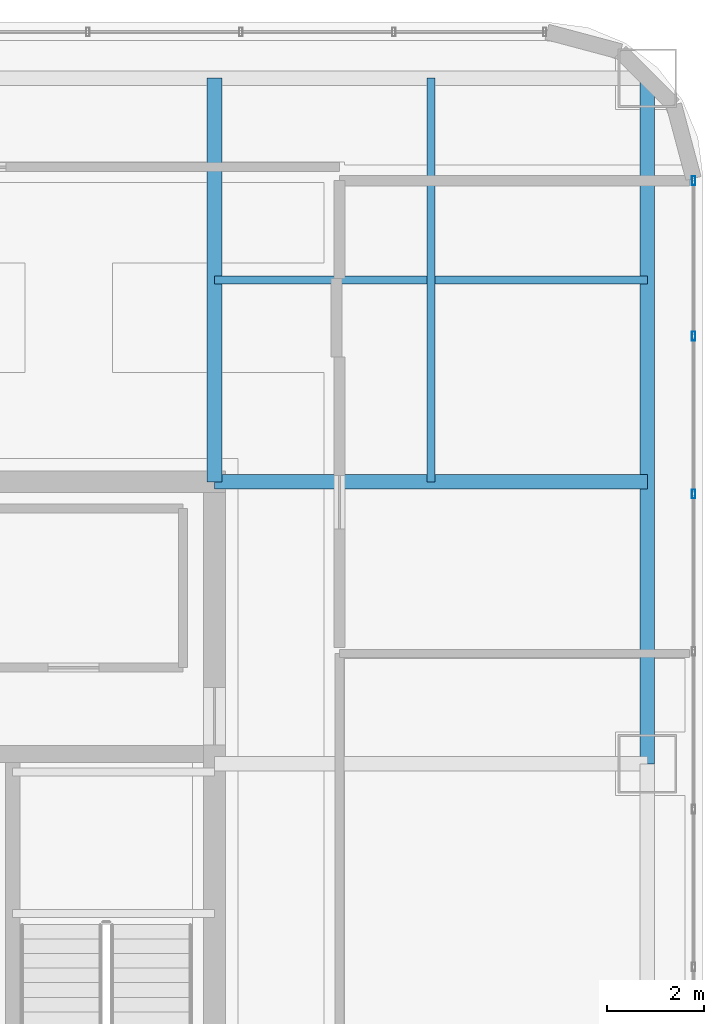
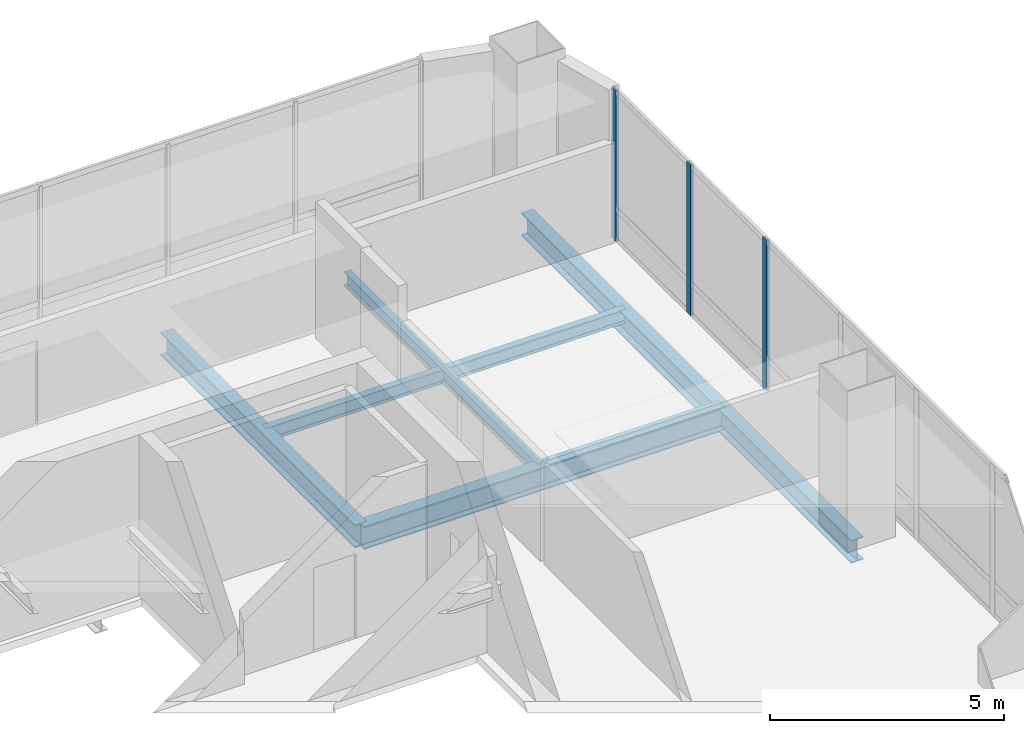
# One storey, part 30 of 46: 5 beams, 3 members, 1 element without a shape of its own.
"""IFC4 building model written with IfcOpenShell, lengths in metres."""

from ifc_helpers import new_model, si_unit, direction, frame, origin, origin_2d, place, context, subcontext, project, spatial, hollow_rectangle, i_section, extrude, material, material_profile, profile_set, type_object, element, aggregate, save


model = new_model("IFC4")

# Units and contexts
model_context = context("Model", 3, precision=1e-05, world=origin(), true_north=direction((0.0, 1.0)))
body_context = subcontext(model_context, "Body", "Model", "MODEL_VIEW")
ifc_project = project(units=[si_unit("LENGTHUNIT", "METRE"), si_unit("AREAUNIT", "SQUARE_METRE"), si_unit("VOLUMEUNIT", "CUBIC_METRE"), si_unit("PLANEANGLEUNIT", "RADIAN"), si_unit("MASSUNIT", "GRAM", prefix="KILO")], contexts=[model_context])

# Site, building, storey
site_placement = place(None, origin())
site = spatial("IfcSite", under=ifc_project, at=site_placement, CompositionType="ELEMENT")
building_placement = place(site_placement, origin())
building = spatial("IfcBuilding", under=site, at=building_placement, Name="Punatoya Terracotta Tower", CompositionType="ELEMENT")
storey_placement = place(building_placement, frame((0.0, 0.0, 330.0)))
storey = spatial("IfcBuildingStorey", under=building, at=storey_placement, Name="L78", CompositionType="ELEMENT", Elevation=330.0)

# Beams
ifc_material_1 = material(Name="Steel S355", Category="steel")
ifc_material_profile_1 = material_profile(ifc_material_1, i_section(OverallWidth=0.300048828125, OverallDepth=0.60009765625, WebThickness=0.015380859375, FlangeThickness=0.030029296875, FilletRadius=0.01806640625, at=origin_2d()))
ifc_profile_set_1 = profile_set([ifc_material_profile_1], Name="Steel S355")
beam_type_1 = type_object("IfcBeamType", Name="BM-PRI-600", PredefinedType="BEAM", material=ifc_profile_set_1)
beam_1_placement = place(storey_placement, frame((19.10009765625, 3.39990234375, -0.5), z_axis=(0.0, 1.0, 0.0), x_axis=(-1.0, 0.0, 0.0)))
element("IfcBeam", 1, at=beam_1_placement, inside=storey, type_object=beam_type_1, Name="BM-L78-RG-E3", PredefinedType="BEAM", context=body_context, shape_type="SweptSolid", body=[
    extrude(i_section(OverallWidth=0.300048828125, OverallDepth=0.60009765625, WebThickness=0.015380859375, FlangeThickness=0.030029296875, FilletRadius=0.01806640625, at=origin_2d()), origin(), (0.0, 0.0, 1.0), 14.10009765625),
])
beam_2_placement = place(storey_placement, frame((10.199951171875, 9.199951171875, -0.5), z_axis=(1.0, 0.0, 0.0), x_axis=(0.0, 1.0, 0.0)))
element("IfcBeam", 2, at=beam_2_placement, inside=storey, type_object=beam_type_1, Name="BM-L78-PR-EN", PredefinedType="BEAM", context=body_context, shape_type="SweptSolid", body=[
    extrude(i_section(OverallWidth=0.300048828125, OverallDepth=0.60009765625, WebThickness=0.015380859375, FlangeThickness=0.030029296875, FilletRadius=0.01806640625, at=origin_2d()), origin(), (0.0, 0.0, 1.0), 8.900146484375),
])
beam_3_placement = place(storey_placement, frame((10.199951171875, 9.199951171875, -0.5), z_axis=(0.0, 1.0, 0.0), x_axis=(-1.0, 0.0, 0.0)))
element("IfcBeam", 3, at=beam_3_placement, inside=storey, type_object=beam_type_1, Name="BM-L78-PR-N4", PredefinedType="BEAM", context=body_context, shape_type="SweptSolid", body=[
    extrude(i_section(OverallWidth=0.300048828125, OverallDepth=0.60009765625, WebThickness=0.015380859375, FlangeThickness=0.030029296875, FilletRadius=0.01806640625, at=origin_2d()), origin(), (0.0, 0.0, 1.0), 8.300048828125),
])
ifc_material_profile_2 = material_profile(ifc_material_1, i_section(OverallWidth=0.169921875, OverallDepth=0.360107421875, WebThickness=0.008056640625, FlangeThickness=0.0126953125, FilletRadius=0.01806640625, at=origin_2d()))
ifc_profile_set_2 = profile_set([ifc_material_profile_2], Name="Steel S355")
beam_type_2 = type_object("IfcBeamType", Name="BM-SEC-360", PredefinedType="JOIST", material=ifc_profile_set_2)
beam_4_placement = place(storey_placement, frame((10.199951171875, 13.35009765625, -0.3798828125), z_axis=(1.0, 0.0, 0.0), x_axis=(0.0, 1.0, 0.0)))
element("IfcBeam", 4, at=beam_4_placement, inside=storey, type_object=beam_type_2, Name="BM-L78-SJN-2", PredefinedType="JOIST", context=body_context, shape_type="SweptSolid", body=[
    extrude(i_section(OverallWidth=0.169921875, OverallDepth=0.360107421875, WebThickness=0.008056640625, FlangeThickness=0.0126953125, FilletRadius=0.01806640625, at=origin_2d()), origin(), (0.0, 0.0, 1.0), 8.900146484375),
])
beam_5_placement = place(storey_placement, frame((14.64990234375, 9.199951171875, -0.3798828125), z_axis=(0.0, 1.0, 0.0), x_axis=(-1.0, 0.0, 0.0)))
element("IfcBeam", 5, at=beam_5_placement, inside=storey, type_object=beam_type_2, Name="BM-L78-SJE-2", PredefinedType="JOIST", context=body_context, shape_type="SweptSolid", body=[
    extrude(i_section(OverallWidth=0.169921875, OverallDepth=0.360107421875, WebThickness=0.008056640625, FlangeThickness=0.0126953125, FilletRadius=0.01806640625, at=origin_2d()), origin(), (0.0, 0.0, 1.0), 8.300048828125),
])

# Curtain wall, members
ifc_material_2 = material(Name="Aluminium 6063-T6 + Double Low-E Glass", Category="aluminium")
curtain_wall_type = type_object("IfcCurtainWallType", Name="CW-OBS", PredefinedType="NOTDEFINED", material=ifc_material_2)
curtain_wall_placement = place(storey_placement, origin())
curtain_wall = element("IfcCurtainWall", 6, at=curtain_wall_placement, inside=storey, type_object=curtain_wall_type, Name="L78 Curtain Wall CW-L78-E05-1", PredefinedType="NOTDEFINED")
ifc_material_3 = material(Name="Aluminium 6063-T6", Category="aluminium")
ifc_material_profile_3 = material_profile(ifc_material_3, hollow_rectangle(XDim=0.070068359375, YDim=0.179931640625, WallThickness=0.00390625, at=origin_2d()))
ifc_profile_set_3 = profile_set([ifc_material_profile_3], Name="Aluminium 6063-T6")
member_type = type_object("IfcMemberType", Name="CW-MUL-M3", PredefinedType="MULLION", material=ifc_profile_set_3)
member_1_placement = place(storey_placement, frame((20.050048828125, 8.95068359375, 0.0), z_axis=(0.0, 0.0, 1.0), x_axis=(1.0, 0.0, 0.0)))
member_1 = element("IfcMember", 7, at=member_1_placement, type_object=member_type, Name="CW-L78-E05-1 Mullion 09", PredefinedType="MULLION", context=body_context, shape_type="SweptSolid", body=[
    extrude(hollow_rectangle(XDim=0.070068359375, YDim=0.179931640625, WallThickness=0.00390625, at=origin_2d()), origin(), (0.0, 0.0, 1.0), 3.93994140625),
])
member_2_placement = place(storey_placement, frame((20.050048828125, 12.19384765625, 0.0), z_axis=(0.0, 0.0, 1.0), x_axis=(1.0, 0.0, 0.0)))
member_2 = element("IfcMember", 8, at=member_2_placement, type_object=member_type, Name="CW-L78-E05-1 Mullion 10", PredefinedType="MULLION", context=body_context, shape_type="SweptSolid", body=[
    extrude(hollow_rectangle(XDim=0.070068359375, YDim=0.179931640625, WallThickness=0.00390625, at=origin_2d()), origin(), (0.0, 0.0, 1.0), 3.93994140625),
])
member_3_placement = place(storey_placement, frame((20.050048828125, 15.391845703125, 0.0), z_axis=(0.0, 0.0, 1.0), x_axis=(1.0, 0.0, 0.0)))
member_3 = element("IfcMember", 9, at=member_3_placement, type_object=member_type, Name="CW-L78-E05-1 Mullion 11", PredefinedType="MULLION", context=body_context, shape_type="SweptSolid", body=[
    extrude(hollow_rectangle(XDim=0.070068359375, YDim=0.179931640625, WallThickness=0.00390625, at=origin_2d()), origin(), (0.0, 0.0, 1.0), 3.93994140625),
])
aggregate(curtain_wall, [member_1, member_2, member_3])

save(model, "model.ifc")
